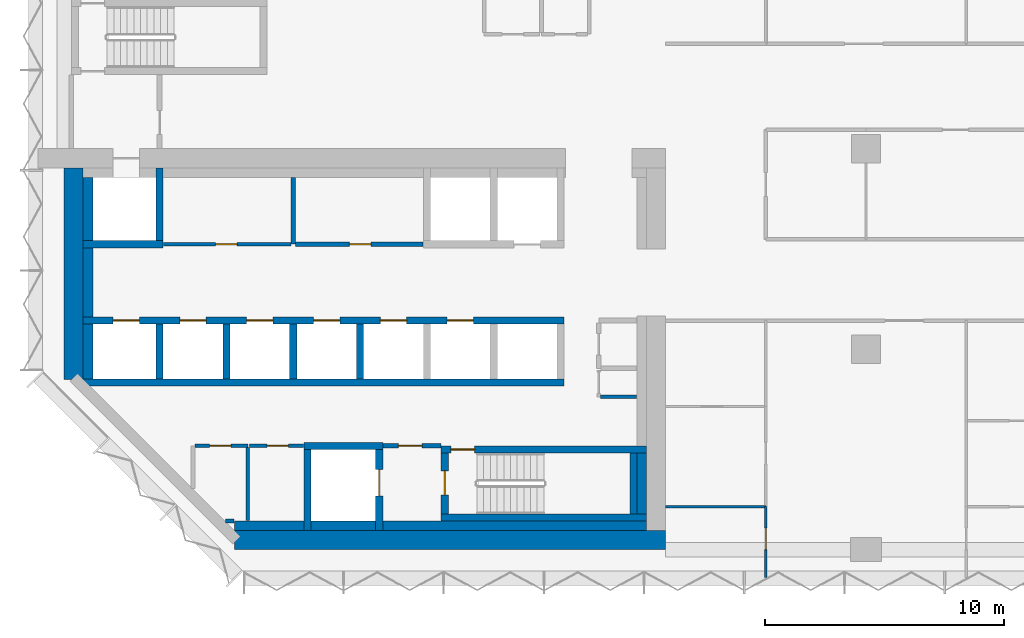
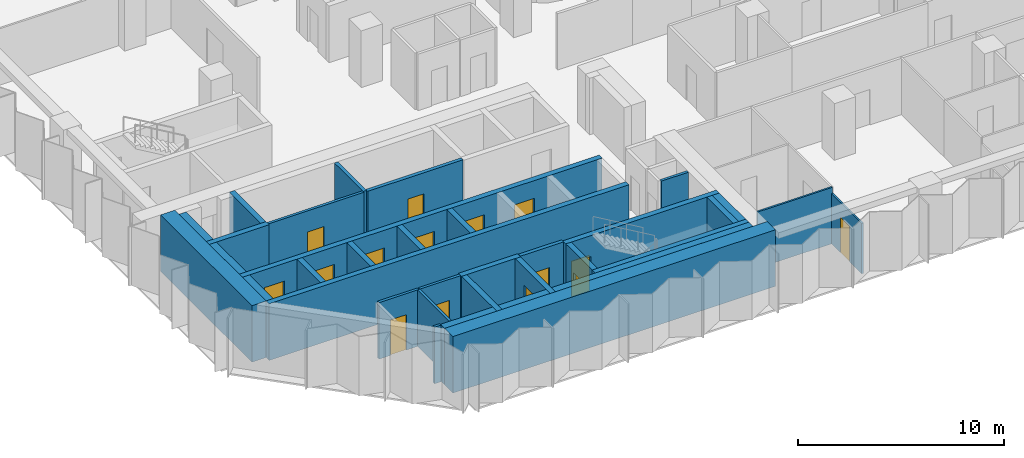
# One storey, part 7 of 13: 35 walls, 15 doors, 15 openings.
"""IFC4 building model written with IfcOpenShell, lengths in metres."""

from ifc_helpers import new_model, si_unit, direction, frame, frame_2d, origin, place, context, subcontext, project, spatial, rectangle, extrude, material, layer, layer_set, type_object, element, fill, save


model = new_model("IFC4")

# Units and contexts
model_context = context("Model", 3, precision=1e-05, world=origin(), true_north=direction((0.0, 1.0)))
body_context = subcontext(model_context, "Body", "Model", "MODEL_VIEW")
ifc_project = project(units=[si_unit("LENGTHUNIT", "METRE"), si_unit("AREAUNIT", "SQUARE_METRE"), si_unit("VOLUMEUNIT", "CUBIC_METRE"), si_unit("PLANEANGLEUNIT", "RADIAN"), si_unit("MASSUNIT", "GRAM", prefix="KILO")], contexts=[model_context])

# Site, building, storey
site_placement = place(None, origin())
site = spatial("IfcSite", under=ifc_project, at=site_placement, CompositionType="ELEMENT")
building_placement = place(site_placement, origin())
building = spatial("IfcBuilding", under=site, at=building_placement, Name="Brevane Broadcast Tower", CompositionType="ELEMENT")
storey_placement = place(building_placement, frame((0.0, 0.0, 106.10009765625)))
storey = spatial("IfcBuildingStorey", under=building, at=storey_placement, Name="L25", CompositionType="ELEMENT", Elevation=106.10009765625)

# Walls
ifc_material_1 = material(Name="Concrete C32/40", Category="concrete")
ifc_layer_1 = layer(ifc_material_1, 0.39990234375)
ifc_layer_set_1 = layer_set([ifc_layer_1], Name="Core chase wall 400 mm")
wall_type_1 = type_object("IfcWallType", Name="Core chase wall 400 mm", PredefinedType="PARTITIONING", material=ifc_layer_set_1)
wall_1_placement = place(storey_placement, frame((1.0, 7.14990234375, 0.0), z_axis=(0.0, 0.0, 1.0), x_axis=(0.0, 1.0, 0.0)))
element("IfcWall", 1, at=wall_1_placement, inside=storey, type_object=wall_type_1, Name="L25 chase wall LW-2-1", PredefinedType="PARTITIONING", context=body_context, shape_type="SweptSolid", body=[
    extrude(rectangle(XDim=2.300048828125, YDim=0.39990234375, at=frame_2d((1.14990234375, 0.0))), origin(), (0.0, 0.0, 1.0), 3.349853515625),
])
wall_2_placement = place(storey_placement, frame((1.0, 9.75, 0.0), z_axis=(0.0, 0.0, 1.0), x_axis=(0.0, 1.0, 0.0)))
element("IfcWall", 2, at=wall_2_placement, inside=storey, type_object=wall_type_1, Name="L25 chase wall LW-2-2-1", PredefinedType="PARTITIONING", context=body_context, shape_type="SweptSolid", body=[
    extrude(rectangle(XDim=2.89990234375, YDim=0.39990234375, at=frame_2d((1.449951171875, 0.0))), origin(), (0.0, 0.0, 1.0), 3.349853515625),
])
wall_3_placement = place(storey_placement, frame((1.0, 12.949951171875, 0.0), z_axis=(0.0, 0.0, 1.0), x_axis=(0.0, 1.0, 0.0)))
element("IfcWall", 3, at=wall_3_placement, inside=storey, type_object=wall_type_1, Name="L25 chase wall LW-2-2-2", PredefinedType="PARTITIONING", context=body_context, shape_type="SweptSolid", body=[
    extrude(rectangle(XDim=2.650146484375, YDim=0.39990234375, at=frame_2d((1.3251953125, 0.0))), origin(), (0.0, 0.0, 1.0), 3.349853515625),
])
wall_4_placement = place(storey_placement, frame((7.136474609375, 1.0, 0.0), z_axis=(0.0, 0.0, 1.0), x_axis=(1.0, 0.0, 0.0)))
element("IfcWall", 4, at=wall_4_placement, inside=storey, type_object=wall_type_1, Name="L25 chase wall LS-1", PredefinedType="PARTITIONING", context=body_context, shape_type="SweptSolid", body=[
    extrude(rectangle(XDim=2.91357421875, YDim=0.39990234375, at=frame_2d((1.456787109375, 0.0))), origin(), (0.0, 0.0, 1.0), 3.349853515625),
])
wall_5_placement = place(storey_placement, frame((10.35009765625, 1.0, 0.0), z_axis=(0.0, 0.0, 1.0), x_axis=(1.0, 0.0, 0.0)))
element("IfcWall", 5, at=wall_5_placement, inside=storey, type_object=wall_type_1, Name="L25 chase wall LS-2-1", PredefinedType="PARTITIONING", context=body_context, shape_type="SweptSolid", body=[
    extrude(rectangle(XDim=2.699951171875, YDim=0.39990234375, at=frame_2d((1.35009765625, 0.0))), origin(), (0.0, 0.0, 1.0), 3.349853515625),
])
wall_6_placement = place(storey_placement, frame((13.35009765625, 1.0, 0.0), z_axis=(0.0, 0.0, 1.0), x_axis=(1.0, 0.0, 0.0)))
element("IfcWall", 6, at=wall_6_placement, inside=storey, type_object=wall_type_1, Name="L25 chase wall LS-2-2", PredefinedType="PARTITIONING", context=body_context, shape_type="SweptSolid", body=[
    extrude(rectangle(XDim=11.0498046875, YDim=0.39990234375, at=frame_2d((5.52490234375, 0.0))), origin(), (0.0, 0.0, 1.0), 3.349853515625),
])
wall_7_placement = place(storey_placement, frame((24.199951171875, 1.5, 0.0), z_axis=(0.0, 0.0, 1.0), x_axis=(0.0, 1.0, 0.0)))
element("IfcWall", 7, at=wall_7_placement, inside=storey, type_object=wall_type_1, Name="L25 chase wall LE1-2-1", PredefinedType="PARTITIONING", context=body_context, shape_type="SweptSolid", body=[
    extrude(rectangle(XDim=2.550048828125, YDim=0.39990234375, at=frame_2d((1.27490234375, 0.0))), origin(), (0.0, 0.0, 1.0), 3.349853515625),
])

# Wall, opening, door
ifc_material_2 = material(Name="Gypsum board on steel studs", Category="steel")
ifc_layer_2 = layer(ifc_material_2, 0.14990234375)
ifc_layer_set_2 = layer_set([ifc_layer_2], Name="Core fire partition 150 mm")
wall_type_2 = type_object("IfcWallType", Name="Core fire partition 150 mm", PredefinedType="PARTITIONING", material=ifc_layer_set_2)
wall_8_placement = place(storey_placement, frame((4.162109375, 12.800048828125, 0.0), z_axis=(0.0, 0.0, 1.0), x_axis=(1.0, 0.0, 0.0)))
wall_8 = element("IfcWall", 8, at=wall_8_placement, inside=storey, type_object=wall_type_2, Name="L25 partition wall P09", PredefinedType="PARTITIONING", context=body_context, shape_type="SweptSolid", body=[
    extrude(rectangle(XDim=5.337890625, YDim=0.14990234375, at=frame_2d((2.6689453125, 0.0))), origin(), (0.0, 0.0, 1.0), 3.349853515625),
])
opening_1_placement = place(wall_8_placement, frame((2.18798828125, 0.0, 0.0)))
opening_1 = element("IfcOpeningElement", 9, at=opening_1_placement, cuts=wall_8, Name="Opening L25-K21", PredefinedType="OPENING", context=body_context, shape_type="SweptSolid", body=[
    extrude(rectangle(XDim=0.89990234375, YDim=2.10009765625, at=frame_2d((0.449951171875, 1.050048828125))), frame((0.0, 0.0849609375, 0.0), z_axis=(0.0, -1.0, 0.0), x_axis=(1.0, 0.0, 0.0)), (0.0, 0.0, 1.0), 0.169921875),
])
ifc_material_3 = material(Name="Steel", Category="steel")
door_type_1 = type_object("IfcDoorType", Name="Service room door 900 x 2100", OperationType="SINGLE_SWING_LEFT", PredefinedType="DOOR", material=ifc_material_3)
door_1_placement = place(opening_1_placement, origin())
door_1 = element("IfcDoor", 10, at=door_1_placement, inside=storey, type_object=door_type_1, Name="Door L25-K21", OperationType="SINGLE_SWING_LEFT", OverallHeight=2.10009765625, OverallWidth=0.89990234375, PredefinedType="DOOR", context=body_context, shape_type="SweptSolid", body=[
    extrude(rectangle(XDim=0.89990234375, YDim=2.10009765625, at=frame_2d((0.449951171875, 1.050048828125))), frame((0.0, 0.02490234375, 0.0), z_axis=(0.0, -1.0, 0.0), x_axis=(1.0, 0.0, 0.0)), (0.0, 0.0, 1.0), 0.050048828125),
])
fill(opening_1, door_1)

wall_9_placement = place(storey_placement, frame((5.47509765625, 4.35009765625, 0.0), z_axis=(0.0, 0.0, 1.0), x_axis=(1.0, 0.0, 0.0)))
wall_9 = element("IfcWall", 11, at=wall_9_placement, inside=storey, type_object=wall_type_2, Name="L25 partition wall P11", PredefinedType="PARTITIONING", context=body_context, shape_type="SweptSolid", body=[
    extrude(rectangle(XDim=2.224853515625, YDim=0.14990234375, at=frame_2d((1.1123046875, 0.0))), origin(), (0.0, 0.0, 1.0), 3.349853515625),
])
opening_2_placement = place(wall_9_placement, frame((0.625, 0.0, 0.0)))
opening_2 = element("IfcOpeningElement", 12, at=opening_2_placement, cuts=wall_9, Name="Opening L25-K16", PredefinedType="OPENING", context=body_context, shape_type="SweptSolid", body=[
    extrude(rectangle(XDim=0.89990234375, YDim=2.10009765625, at=frame_2d((0.449951171875, 1.050048828125))), frame((0.0, 0.0849609375, 0.0), z_axis=(0.0, -1.0, 0.0), x_axis=(1.0, 0.0, 0.0)), (0.0, 0.0, 1.0), 0.169921875),
])
ifc_material_4 = material(Name="Timber", Category="wood")
door_type_2 = type_object("IfcDoorType", Name="Toilet door 900 x 2100", OperationType="SINGLE_SWING_LEFT", PredefinedType="DOOR", material=ifc_material_4)
door_2_placement = place(opening_2_placement, origin())
door_2 = element("IfcDoor", 13, at=door_2_placement, inside=storey, type_object=door_type_2, Name="Door L25-K16", OperationType="SINGLE_SWING_RIGHT", OverallHeight=2.10009765625, OverallWidth=0.89990234375, PredefinedType="DOOR", context=body_context, shape_type="SweptSolid", body=[
    extrude(rectangle(XDim=0.89990234375, YDim=2.10009765625, at=frame_2d((0.449951171875, 1.050048828125))), frame((0.0, 0.02490234375, 0.0), z_axis=(0.0, -1.0, 0.0), x_axis=(1.0, 0.0, 0.0)), (0.0, 0.0, 1.0), 0.050048828125),
])
fill(opening_2, door_2)

# Walls
wall_10_placement = place(storey_placement, frame((7.699951171875, 4.27490234375, 0.0), z_axis=(0.0, 0.0, 1.0), x_axis=(0.0, -1.0, 0.0)))
element("IfcWall", 14, at=wall_10_placement, inside=storey, type_object=wall_type_2, Name="L25 partition wall P12", PredefinedType="PARTITIONING", context=body_context, shape_type="SweptSolid", body=[
    extrude(rectangle(XDim=3.06298828125, YDim=0.14990234375, at=frame_2d((1.531494140625, 0.0))), origin(), (0.0, 0.0, 1.0), 3.349853515625),
])
wall_11_placement = place(storey_placement, frame((7.12451171875, 1.199951171875, 0.0), z_axis=(0.0, 0.0, 1.0), x_axis=(-1.0, 0.0, 0.0)))
element("IfcWall", 15, at=wall_11_placement, inside=storey, type_object=wall_type_2, Name="L25 partition wall P13", PredefinedType="PARTITIONING", context=body_context, shape_type="SweptSolid", body=[
    extrude(rectangle(XDim=0.37109375, YDim=0.14990234375, at=frame_2d((0.185546875, 0.0))), origin(), (0.0, 0.0, 1.0), 3.349853515625),
])

# Wall, opening, door
wall_12_placement = place(storey_placement, frame((10.0380859375, 4.35009765625, 0.0), z_axis=(0.0, 0.0, 1.0), x_axis=(-1.0, 0.0, 0.0)))
wall_12 = element("IfcWall", 16, at=wall_12_placement, inside=storey, type_object=wall_type_2, Name="L25 partition wall P14", PredefinedType="PARTITIONING", context=body_context, shape_type="SweptSolid", body=[
    extrude(rectangle(XDim=2.26318359375, YDim=0.14990234375, at=frame_2d((1.131591796875, 0.0))), origin(), (0.0, 0.0, 1.0), 3.349853515625),
])
opening_3_placement = place(wall_12_placement, frame((0.637939453125, 0.0, 0.0)))
opening_3 = element("IfcOpeningElement", 17, at=opening_3_placement, cuts=wall_12, Name="Opening L25-K17", PredefinedType="OPENING", context=body_context, shape_type="SweptSolid", body=[
    extrude(rectangle(XDim=0.89990234375, YDim=2.10009765625, at=frame_2d((0.449951171875, 1.050048828125))), frame((0.0, 0.0849609375, 0.0), z_axis=(0.0, -1.0, 0.0), x_axis=(1.0, 0.0, 0.0)), (0.0, 0.0, 1.0), 0.169921875),
])
door_3_placement = place(opening_3_placement, origin())
door_3 = element("IfcDoor", 18, at=door_3_placement, inside=storey, type_object=door_type_2, Name="Door L25-K17", OperationType="SINGLE_SWING_LEFT", OverallHeight=2.10009765625, OverallWidth=0.89990234375, PredefinedType="DOOR", context=body_context, shape_type="SweptSolid", body=[
    extrude(rectangle(XDim=0.89990234375, YDim=2.10009765625, at=frame_2d((0.449951171875, 1.050048828125))), frame((0.0, 0.02490234375, 0.0), z_axis=(0.0, -1.0, 0.0), x_axis=(1.0, 0.0, 0.0)), (0.0, 0.0, 1.0), 0.050048828125),
])
fill(opening_3, door_3)

# Wall
wall_13_placement = place(storey_placement, frame((22.47509765625, 6.39990234375, 0.0), z_axis=(0.0, 0.0, 1.0), x_axis=(1.0, 0.0, 0.0)))
element("IfcWall", 19, at=wall_13_placement, inside=storey, type_object=wall_type_2, Name="L25 partition wall P23", PredefinedType="PARTITIONING", context=body_context, shape_type="SweptSolid", body=[
    extrude(rectangle(XDim=1.512939453125, YDim=0.14990234375, at=frame_2d((0.75634765625, 0.0))), origin(), (0.0, 0.0, 1.0), 3.349853515625),
])

# Wall, opening, door
ifc_layer_3 = layer(ifc_material_2, 0.199951171875)
ifc_layer_set_3 = layer_set([ifc_layer_3], Name="Core fire partition 200 mm")
wall_type_3 = type_object("IfcWallType", Name="Core fire partition 200 mm", PredefinedType="PARTITIONING", material=ifc_layer_set_3)
wall_14_placement = place(storey_placement, frame((13.362060546875, 4.35009765625, 0.0), z_axis=(0.0, 0.0, 1.0), x_axis=(1.0, 0.0, 0.0)))
wall_14 = element("IfcWall", 20, at=wall_14_placement, inside=storey, type_object=wall_type_3, Name="L25 partition wall P03", PredefinedType="PARTITIONING", context=body_context, shape_type="SweptSolid", body=[
    extrude(rectangle(XDim=2.426025390625, YDim=0.199951171875, at=frame_2d((1.212890625, 0.0))), origin(), (0.0, 0.0, 1.0), 3.349853515625),
])
opening_4_placement = place(wall_14_placement, frame((0.637939453125, 0.0, 0.0)))
opening_4 = element("IfcOpeningElement", 21, at=opening_4_placement, cuts=wall_14, Name="Opening L25-K18", PredefinedType="OPENING", context=body_context, shape_type="SweptSolid", body=[
    extrude(rectangle(XDim=1.0, YDim=2.10009765625, at=frame_2d((0.5, 1.050048828125))), frame((0.0, 0.10986328125, 0.0), z_axis=(0.0, -1.0, 0.0), x_axis=(1.0, 0.0, 0.0)), (0.0, 0.0, 1.0), 0.219970703125),
])
door_type_3 = type_object("IfcDoorType", Name="Stair door 1000 x 2100", OperationType="SINGLE_SWING_LEFT", PredefinedType="DOOR", material=ifc_material_3)
door_4_placement = place(opening_4_placement, origin())
door_4 = element("IfcDoor", 22, at=door_4_placement, inside=storey, type_object=door_type_3, Name="Door L25-K18", OperationType="SINGLE_SWING_RIGHT", OverallHeight=2.10009765625, OverallWidth=1.0, PredefinedType="DOOR", context=body_context, shape_type="SweptSolid", body=[
    extrude(rectangle(XDim=1.0, YDim=2.10009765625, at=frame_2d((0.5, 1.050048828125))), frame((0.0, 0.02490234375, 0.0), z_axis=(0.0, -1.0, 0.0), x_axis=(1.0, 0.0, 0.0)), (0.0, 0.0, 1.0), 0.050048828125),
])
fill(opening_4, door_4)

# Wall
wall_15_placement = place(storey_placement, frame((9.60009765625, 15.587890625, 0.0), z_axis=(0.0, 0.0, 1.0), x_axis=(0.0, -1.0, 0.0)))
element("IfcWall", 23, at=wall_15_placement, inside=storey, type_object=wall_type_3, Name="L25 partition wall P04", PredefinedType="PARTITIONING", context=body_context, shape_type="SweptSolid", body=[
    extrude(rectangle(XDim=2.787841796875, YDim=0.199951171875, at=frame_2d((1.39404296875, 0.0))), origin(), (0.0, 0.0, 1.0), 3.349853515625),
])

# Wall, opening, door
wall_16_placement = place(storey_placement, frame((9.699951171875, 12.800048828125, 0.0), z_axis=(0.0, 0.0, 1.0), x_axis=(1.0, 0.0, 0.0)))
wall_16 = element("IfcWall", 24, at=wall_16_placement, inside=storey, type_object=wall_type_3, Name="L25 partition wall P05", PredefinedType="PARTITIONING", context=body_context, shape_type="SweptSolid", body=[
    extrude(rectangle(XDim=5.338134765625, YDim=0.199951171875, at=frame_2d((2.6689453125, 0.0))), origin(), (0.0, 0.0, 1.0), 3.349853515625),
])
opening_5_placement = place(wall_16_placement, frame((2.25, 0.0, 0.0)))
opening_5 = element("IfcOpeningElement", 25, at=opening_5_placement, cuts=wall_16, Name="Opening L25-K22", PredefinedType="OPENING", context=body_context, shape_type="SweptSolid", body=[
    extrude(rectangle(XDim=0.89990234375, YDim=2.10009765625, at=frame_2d((0.449951171875, 1.050048828125))), frame((0.0, 0.10986328125, 0.0), z_axis=(0.0, -1.0, 0.0), x_axis=(1.0, 0.0, 0.0)), (0.0, 0.0, 1.0), 0.219970703125),
])
door_5_placement = place(opening_5_placement, origin())
door_5 = element("IfcDoor", 26, at=door_5_placement, inside=storey, type_object=door_type_1, Name="Door L25-K22", OperationType="SINGLE_SWING_RIGHT", OverallHeight=2.10009765625, OverallWidth=0.89990234375, PredefinedType="DOOR", context=body_context, shape_type="SweptSolid", body=[
    extrude(rectangle(XDim=0.89990234375, YDim=2.10009765625, at=frame_2d((0.449951171875, 1.050048828125))), frame((0.0, 0.02490234375, 0.0), z_axis=(0.0, -1.0, 0.0), x_axis=(1.0, 0.0, 0.0)), (0.0, 0.0, 1.0), 0.050048828125),
])
fill(opening_5, door_5)

# Wall
ifc_material_5 = material(Name="Concrete C60/75", Category="concrete")
ifc_layer_4 = layer(ifc_material_5, 0.300048828125)
ifc_layer_set_4 = layer_set([ifc_layer_4], Name="Core wall 300 mm C60/75")
wall_type_4 = type_object("IfcWallType", Name="Core wall 300 mm C60/75", PredefinedType="SHEAR", material=ifc_layer_set_4)
wall_17_placement = place(storey_placement, frame((0.800048828125, 7.0, 0.0), z_axis=(0.0, 0.0, 1.0), x_axis=(1.0, 0.0, 0.0)))
element("IfcWall", 27, at=wall_17_placement, inside=storey, type_object=wall_type_4, Name="L25 shaft wall SH-S012-back", PredefinedType="SHEAR", context=body_context, shape_type="SweptSolid", body=[
    extrude(rectangle(XDim=20.14990234375, YDim=0.300048828125, at=frame_2d((10.074951171875, 0.0))), origin(), (0.0, 0.0, 1.0), 3.349853515625),
])

# Wall, openings, doors
wall_18_placement = place(storey_placement, frame((0.800048828125, 9.60009765625, 0.0), z_axis=(0.0, 0.0, 1.0), x_axis=(1.0, 0.0, 0.0)))
wall_18 = element("IfcWall", 28, at=wall_18_placement, inside=storey, type_object=wall_type_4, Name="L25 shaft wall SH-S012-front", PredefinedType="SHEAR", context=body_context, shape_type="SweptSolid", body=[
    extrude(rectangle(XDim=20.14990234375, YDim=0.300048828125, at=frame_2d((10.074951171875, 0.0))), origin(), (0.0, 0.0, 1.0), 3.349853515625),
])
opening_6_placement = place(wall_18_placement, frame((1.25, 0.0, 0.0)))
opening_6 = element("IfcOpeningElement", 29, at=opening_6_placement, cuts=wall_18, Name="Opening LD", PredefinedType="OPENING", context=body_context, shape_type="SweptSolid", body=[
    extrude(rectangle(XDim=1.10009765625, YDim=2.300048828125, at=frame_2d((0.550048828125, 1.14990234375))), frame((0.0, 0.159912109375, 0.0), z_axis=(0.0, -1.0, 0.0), x_axis=(1.0, 0.0, 0.0)), (0.0, 0.0, 1.0), 0.320068359375),
])
opening_7_placement = place(wall_18_placement, frame((4.050048828125, 0.0, 0.0)))
opening_7 = element("IfcOpeningElement", 30, at=opening_7_placement, cuts=wall_18, Name="Opening LD", PredefinedType="OPENING", context=body_context, shape_type="SweptSolid", body=[
    extrude(rectangle(XDim=1.10009765625, YDim=2.300048828125, at=frame_2d((0.550048828125, 1.14990234375))), frame((0.0, 0.159912109375, 0.0), z_axis=(0.0, -1.0, 0.0), x_axis=(1.0, 0.0, 0.0)), (0.0, 0.0, 1.0), 0.320068359375),
])
opening_8_placement = place(wall_18_placement, frame((6.85009765625, 0.0, 0.0)))
opening_8 = element("IfcOpeningElement", 31, at=opening_8_placement, cuts=wall_18, Name="Opening LD", PredefinedType="OPENING", context=body_context, shape_type="SweptSolid", body=[
    extrude(rectangle(XDim=1.10009765625, YDim=2.300048828125, at=frame_2d((0.550048828125, 1.14990234375))), frame((0.0, 0.159912109375, 0.0), z_axis=(0.0, -1.0, 0.0), x_axis=(1.0, 0.0, 0.0)), (0.0, 0.0, 1.0), 0.320068359375),
])
opening_9_placement = place(wall_18_placement, frame((9.64990234375, 0.0, 0.0)))
opening_9 = element("IfcOpeningElement", 32, at=opening_9_placement, cuts=wall_18, Name="Opening LD", PredefinedType="OPENING", context=body_context, shape_type="SweptSolid", body=[
    extrude(rectangle(XDim=1.10009765625, YDim=2.300048828125, at=frame_2d((0.550048828125, 1.14990234375))), frame((0.0, 0.159912109375, 0.0), z_axis=(0.0, -1.0, 0.0), x_axis=(1.0, 0.0, 0.0)), (0.0, 0.0, 1.0), 0.320068359375),
])
opening_10_placement = place(wall_18_placement, frame((12.449951171875, 0.0, 0.0)))
opening_10 = element("IfcOpeningElement", 33, at=opening_10_placement, cuts=wall_18, Name="Opening LD", PredefinedType="OPENING", context=body_context, shape_type="SweptSolid", body=[
    extrude(rectangle(XDim=1.10009765625, YDim=2.300048828125, at=frame_2d((0.550048828125, 1.14990234375))), frame((0.0, 0.159912109375, 0.0), z_axis=(0.0, -1.0, 0.0), x_axis=(1.0, 0.0, 0.0)), (0.0, 0.0, 1.0), 0.320068359375),
])
opening_11_placement = place(wall_18_placement, frame((15.25, 0.0, 0.0)))
opening_11 = element("IfcOpeningElement", 34, at=opening_11_placement, cuts=wall_18, Name="Opening LD", PredefinedType="OPENING", context=body_context, shape_type="SweptSolid", body=[
    extrude(rectangle(XDim=1.10009765625, YDim=2.300048828125, at=frame_2d((0.550048828125, 1.14990234375))), frame((0.0, 0.159912109375, 0.0), z_axis=(0.0, -1.0, 0.0), x_axis=(1.0, 0.0, 0.0)), (0.0, 0.0, 1.0), 0.320068359375),
])
ifc_material_6 = material(Name="Stainless steel", Category="steel")
door_type_4 = type_object("IfcDoorType", Name="Lift landing door", OperationType="SLIDING_TO_LEFT", PredefinedType="DOOR", material=ifc_material_6)
door_6_placement = place(opening_6_placement, origin())
door_6 = element("IfcDoor", 35, at=door_6_placement, inside=storey, type_object=door_type_4, Name="Landing door LR1 L25", OperationType="SLIDING_TO_LEFT", OverallHeight=2.300048828125, OverallWidth=1.10009765625, PredefinedType="DOOR", context=body_context, shape_type="SweptSolid", body=[
    extrude(rectangle(XDim=1.10009765625, YDim=2.300048828125, at=frame_2d((0.550048828125, 1.14990234375))), frame((0.0, 0.02490234375, 0.0), z_axis=(0.0, -1.0, 0.0), x_axis=(1.0, 0.0, 0.0)), (0.0, 0.0, 1.0), 0.050048828125),
])
fill(opening_6, door_6)
door_7_placement = place(opening_7_placement, origin())
door_7 = element("IfcDoor", 36, at=door_7_placement, inside=storey, type_object=door_type_4, Name="Landing door LR2 L25", OperationType="SLIDING_TO_LEFT", OverallHeight=2.300048828125, OverallWidth=1.10009765625, PredefinedType="DOOR", context=body_context, shape_type="SweptSolid", body=[
    extrude(rectangle(XDim=1.10009765625, YDim=2.300048828125, at=frame_2d((0.550048828125, 1.14990234375))), frame((0.0, 0.02490234375, 0.0), z_axis=(0.0, -1.0, 0.0), x_axis=(1.0, 0.0, 0.0)), (0.0, 0.0, 1.0), 0.050048828125),
])
fill(opening_7, door_7)
door_8_placement = place(opening_8_placement, origin())
door_8 = element("IfcDoor", 37, at=door_8_placement, inside=storey, type_object=door_type_4, Name="Landing door LR3 L25", OperationType="SLIDING_TO_LEFT", OverallHeight=2.300048828125, OverallWidth=1.10009765625, PredefinedType="DOOR", context=body_context, shape_type="SweptSolid", body=[
    extrude(rectangle(XDim=1.10009765625, YDim=2.300048828125, at=frame_2d((0.550048828125, 1.14990234375))), frame((0.0, 0.02490234375, 0.0), z_axis=(0.0, -1.0, 0.0), x_axis=(1.0, 0.0, 0.0)), (0.0, 0.0, 1.0), 0.050048828125),
])
fill(opening_8, door_8)
door_9_placement = place(opening_9_placement, origin())
door_9 = element("IfcDoor", 38, at=door_9_placement, inside=storey, type_object=door_type_4, Name="Landing door LR4 L25", OperationType="SLIDING_TO_LEFT", OverallHeight=2.300048828125, OverallWidth=1.10009765625, PredefinedType="DOOR", context=body_context, shape_type="SweptSolid", body=[
    extrude(rectangle(XDim=1.10009765625, YDim=2.300048828125, at=frame_2d((0.550048828125, 1.14990234375))), frame((0.0, 0.02490234375, 0.0), z_axis=(0.0, -1.0, 0.0), x_axis=(1.0, 0.0, 0.0)), (0.0, 0.0, 1.0), 0.050048828125),
])
fill(opening_9, door_9)
door_10_placement = place(opening_10_placement, origin())
door_10 = element("IfcDoor", 39, at=door_10_placement, inside=storey, type_object=door_type_4, Name="Landing door LR5 L25", OperationType="SLIDING_TO_LEFT", OverallHeight=2.300048828125, OverallWidth=1.10009765625, PredefinedType="DOOR", context=body_context, shape_type="SweptSolid", body=[
    extrude(rectangle(XDim=1.10009765625, YDim=2.300048828125, at=frame_2d((0.550048828125, 1.14990234375))), frame((0.0, 0.02490234375, 0.0), z_axis=(0.0, -1.0, 0.0), x_axis=(1.0, 0.0, 0.0)), (0.0, 0.0, 1.0), 0.050048828125),
])
fill(opening_10, door_10)
door_11_placement = place(opening_11_placement, origin())
door_11 = element("IfcDoor", 40, at=door_11_placement, inside=storey, type_object=door_type_4, Name="Landing door LR6 L25", OperationType="SLIDING_TO_LEFT", OverallHeight=2.300048828125, OverallWidth=1.10009765625, PredefinedType="DOOR", context=body_context, shape_type="SweptSolid", body=[
    extrude(rectangle(XDim=1.10009765625, YDim=2.300048828125, at=frame_2d((0.550048828125, 1.14990234375))), frame((0.0, 0.02490234375, 0.0), z_axis=(0.0, -1.0, 0.0), x_axis=(1.0, 0.0, 0.0)), (0.0, 0.0, 1.0), 0.050048828125),
])
fill(opening_11, door_11)

# Walls
for number, where, z_axis, x_axis, name in (
    (41, (4.0, 7.14990234375, 0.0), (0.0, 0.0, 1.0), (0.0, 1.0, 0.0), "L25 shaft wall SH-S-P040"),
    (42, (6.800048828125, 7.14990234375, 0.0), (0.0, 0.0, 1.0), (0.0, 1.0, 0.0), "L25 shaft wall SH-S-P068"),
    (43, (9.60009765625, 7.14990234375, 0.0), (0.0, 0.0, 1.0), (0.0, 1.0, 0.0), "L25 shaft wall SH-S-P096"),
    (44, (12.39990234375, 7.14990234375, 0.0), (0.0, 0.0, 1.0), (0.0, 1.0, 0.0), "L25 shaft wall SH-S-P124"),
):
    element("IfcWall", number, at=place(storey_placement, frame(where, z_axis=z_axis, x_axis=x_axis)), inside=storey, type_object=wall_type_4, Name=name, PredefinedType="SHEAR", context=body_context, shape_type="SweptSolid", body=[
        extrude(rectangle(XDim=2.300048828125, YDim=0.300048828125, at=frame_2d((1.14990234375, 0.0))), origin(), (0.0, 0.0, 1.0), 3.349853515625),
    ])
wall_19_placement = place(storey_placement, frame((0.800048828125, 12.800048828125, 0.0), z_axis=(0.0, 0.0, 1.0), x_axis=(1.0, 0.0, 0.0)))
element("IfcWall", 45, at=wall_19_placement, inside=storey, type_object=wall_type_4, Name="L25 shaft wall SH-N012-front", PredefinedType="SHEAR", context=body_context, shape_type="SweptSolid", body=[
    extrude(rectangle(XDim=3.349853515625, YDim=0.300048828125, at=frame_2d((1.6748046875, 0.0))), origin(), (0.0, 0.0, 1.0), 3.349853515625),
])
wall_20_placement = place(storey_placement, frame((4.0, 12.949951171875, 0.0), z_axis=(0.0, 0.0, 1.0), x_axis=(0.0, 1.0, 0.0)))
element("IfcWall", 46, at=wall_20_placement, inside=storey, type_object=wall_type_4, Name="L25 shaft wall SH-N-P040", PredefinedType="SHEAR", context=body_context, shape_type="SweptSolid", body=[
    extrude(rectangle(XDim=3.050048828125, YDim=0.300048828125, at=frame_2d((1.52490234375, 0.0))), origin(), (0.0, 0.0, 1.0), 3.349853515625),
])
wall_21_placement = place(storey_placement, frame((10.199951171875, 0.800048828125, 0.0), z_axis=(0.0, 0.0, 1.0), x_axis=(0.0, 1.0, 0.0)))
element("IfcWall", 47, at=wall_21_placement, inside=storey, type_object=wall_type_4, Name="L25 shaft wall FF2-W", PredefinedType="SHEAR", context=body_context, shape_type="SweptSolid", body=[
    extrude(rectangle(XDim=3.39990234375, YDim=0.300048828125, at=frame_2d((1.699951171875, 0.0))), origin(), (0.0, 0.0, 1.0), 3.349853515625),
])

# Wall, opening, door
wall_22_placement = place(storey_placement, frame((13.199951171875, 0.800048828125, 0.0), z_axis=(0.0, 0.0, 1.0), x_axis=(0.0, 1.0, 0.0)))
wall_22 = element("IfcWall", 48, at=wall_22_placement, inside=storey, type_object=wall_type_4, Name="L25 shaft wall FF2-E", PredefinedType="SHEAR", context=body_context, shape_type="SweptSolid", body=[
    extrude(rectangle(XDim=3.39990234375, YDim=0.300048828125, at=frame_2d((1.699951171875, 0.0))), origin(), (0.0, 0.0, 1.0), 3.349853515625),
])
opening_12_placement = place(wall_22_placement, frame((1.449951171875, 0.0, 0.0)))
opening_12 = element("IfcOpeningElement", 49, at=opening_12_placement, cuts=wall_22, Name="Opening LD", PredefinedType="OPENING", context=body_context, shape_type="SweptSolid", body=[
    extrude(rectangle(XDim=1.10009765625, YDim=2.300048828125, at=frame_2d((0.550048828125, 1.14990234375))), frame((0.0, 0.159912109375, 0.0), z_axis=(0.0, -1.0, 0.0), x_axis=(1.0, 0.0, 0.0)), (0.0, 0.0, 1.0), 0.320068359375),
])
door_12_placement = place(opening_12_placement, origin())
door_12 = element("IfcDoor", 50, at=door_12_placement, inside=storey, type_object=door_type_4, Name="Landing door FF2 L25", OperationType="SLIDING_TO_LEFT", OverallHeight=2.300048828125, OverallWidth=1.10009765625, PredefinedType="DOOR", context=body_context, shape_type="SweptSolid", body=[
    extrude(rectangle(XDim=1.10009765625, YDim=2.300048828125, at=frame_2d((0.550048828125, 1.14990234375))), frame((0.0, 0.02490234375, 0.0), z_axis=(0.0, -1.0, 0.0), x_axis=(1.0, 0.0, 0.0)), (0.0, 0.0, 1.0), 0.050048828125),
])
fill(opening_12, door_12)

# Walls
wall_23_placement = place(storey_placement, frame((10.050048828125, 4.35009765625, 0.0), z_axis=(0.0, 0.0, 1.0), x_axis=(1.0, 0.0, 0.0)))
element("IfcWall", 51, at=wall_23_placement, inside=storey, type_object=wall_type_4, Name="L25 shaft wall FF2-N", PredefinedType="SHEAR", context=body_context, shape_type="SweptSolid", body=[
    extrude(rectangle(XDim=3.300048828125, YDim=0.300048828125, at=frame_2d((1.64990234375, 0.0))), origin(), (0.0, 0.0, 1.0), 3.349853515625),
])
wall_24_placement = place(storey_placement, frame((15.800048828125, 1.35009765625, 0.0), z_axis=(0.0, 0.0, 1.0), x_axis=(1.0, 0.0, 0.0)))
element("IfcWall", 52, at=wall_24_placement, inside=storey, type_object=wall_type_4, Name="L25 stair wall ST-2-S", PredefinedType="SHEAR", context=body_context, shape_type="SweptSolid", body=[
    extrude(rectangle(XDim=8.599853515625, YDim=0.300048828125, at=frame_2d((4.2998046875, 0.0))), origin(), (0.0, 0.0, 1.0), 3.349853515625),
])

# Wall, opening, door
wall_25_placement = place(storey_placement, frame((15.800048828125, 4.199951171875, 0.0), z_axis=(0.0, 0.0, 1.0), x_axis=(1.0, 0.0, 0.0)))
wall_25 = element("IfcWall", 53, at=wall_25_placement, inside=storey, type_object=wall_type_4, Name="L25 stair wall ST-2-N", PredefinedType="SHEAR", context=body_context, shape_type="SweptSolid", body=[
    extrude(rectangle(XDim=8.599853515625, YDim=0.300048828125, at=frame_2d((4.2998046875, 0.0))), origin(), (0.0, 0.0, 1.0), 3.349853515625),
])
opening_13_placement = place(wall_25_placement, frame((0.39990234375, 0.0, 0.0)))
opening_13 = element("IfcOpeningElement", 54, at=opening_13_placement, cuts=wall_25, Name="Opening L25-K13", PredefinedType="OPENING", context=body_context, shape_type="SweptSolid", body=[
    extrude(rectangle(XDim=1.0, YDim=2.10009765625, at=frame_2d((0.5, 1.050048828125))), frame((0.0, 0.159912109375, 0.0), z_axis=(0.0, -1.0, 0.0), x_axis=(1.0, 0.0, 0.0)), (0.0, 0.0, 1.0), 0.320068359375),
])
door_13_placement = place(opening_13_placement, origin())
door_13 = element("IfcDoor", 55, at=door_13_placement, inside=storey, type_object=door_type_3, Name="Door L25-K13", OperationType="SINGLE_SWING_LEFT", OverallHeight=2.10009765625, OverallWidth=1.0, PredefinedType="DOOR", context=body_context, shape_type="SweptSolid", body=[
    extrude(rectangle(XDim=1.0, YDim=2.10009765625, at=frame_2d((0.5, 1.050048828125))), frame((0.0, 0.02490234375, 0.0), z_axis=(0.0, -1.0, 0.0), x_axis=(1.0, 0.0, 0.0)), (0.0, 0.0, 1.0), 0.050048828125),
])
fill(opening_13, door_13)

wall_26_placement = place(storey_placement, frame((15.949951171875, 1.5, 0.0), z_axis=(0.0, 0.0, 1.0), x_axis=(0.0, 1.0, 0.0)))
wall_26 = element("IfcWall", 56, at=wall_26_placement, inside=storey, type_object=wall_type_4, Name="L25 stair wall ST-2-W", PredefinedType="SHEAR", context=body_context, shape_type="SweptSolid", body=[
    extrude(rectangle(XDim=2.550048828125, YDim=0.300048828125, at=frame_2d((1.27490234375, 0.0))), origin(), (0.0, 0.0, 1.0), 3.349853515625),
])
opening_14_placement = place(wall_26_placement, frame((0.800048828125, 0.0, 0.0)))
opening_14 = element("IfcOpeningElement", 57, at=opening_14_placement, cuts=wall_26, Name="Opening L25-K12", PredefinedType="OPENING", context=body_context, shape_type="SweptSolid", body=[
    extrude(rectangle(XDim=1.0, YDim=2.10009765625, at=frame_2d((0.5, 1.050048828125))), frame((0.0, 0.159912109375, 0.0), z_axis=(0.0, -1.0, 0.0), x_axis=(1.0, 0.0, 0.0)), (0.0, 0.0, 1.0), 0.320068359375),
])
door_14_placement = place(opening_14_placement, origin())
door_14 = element("IfcDoor", 58, at=door_14_placement, inside=storey, type_object=door_type_3, Name="Door L25-K12", OperationType="SINGLE_SWING_RIGHT", OverallHeight=2.10009765625, OverallWidth=1.0, PredefinedType="DOOR", context=body_context, shape_type="SweptSolid", body=[
    extrude(rectangle(XDim=1.0, YDim=2.10009765625, at=frame_2d((0.5, 1.050048828125))), frame((0.0, 0.02490234375, 0.0), z_axis=(0.0, -1.0, 0.0), x_axis=(1.0, 0.0, 0.0)), (0.0, 0.0, 1.0), 0.050048828125),
])
fill(opening_14, door_14)

# Walls
wall_27_placement = place(storey_placement, frame((23.85009765625, 1.5, 0.0), z_axis=(0.0, 0.0, 1.0), x_axis=(0.0, 1.0, 0.0)))
element("IfcWall", 59, at=wall_27_placement, inside=storey, type_object=wall_type_4, Name="L25 stair wall ST-2-E", PredefinedType="SHEAR", context=body_context, shape_type="SweptSolid", body=[
    extrude(rectangle(XDim=2.550048828125, YDim=0.300048828125, at=frame_2d((1.27490234375, 0.0))), origin(), (0.0, 0.0, 1.0), 3.349853515625),
])
ifc_layer_5 = layer(ifc_material_5, 0.800048828125)
ifc_layer_set_5 = layer_set([ifc_layer_5], Name="Core wall 800 mm C60/75")
wall_type_5 = type_object("IfcWallType", Name="Core wall 800 mm C60/75", PredefinedType="SHEAR", material=ifc_layer_set_5)
wall_28_placement = place(storey_placement, frame((7.136474609375, 0.39990234375, 0.0), z_axis=(0.0, 0.0, 1.0), x_axis=(1.0, 0.0, 0.0)))
element("IfcWall", 60, at=wall_28_placement, inside=storey, type_object=wall_type_5, Name="L25 outer wall WS", PredefinedType="SHEAR", context=body_context, shape_type="SweptSolid", body=[
    extrude(rectangle(XDim=18.0634765625, YDim=0.800048828125, at=frame_2d((9.03173828125, 0.0))), origin(), (0.0, 0.0, 1.0), 3.349853515625),
])
wall_29_placement = place(storey_placement, frame((0.39990234375, 7.136474609375, 0.0), z_axis=(0.0, 0.0, 1.0), x_axis=(0.0, 1.0, 0.0)))
element("IfcWall", 61, at=wall_29_placement, inside=storey, type_object=wall_type_5, Name="L25 outer wall WW", PredefinedType="SHEAR", context=body_context, shape_type="SweptSolid", body=[
    extrude(rectangle(XDim=8.863525390625, YDim=0.800048828125, at=frame_2d((4.431640625, 0.0))), origin(), (0.0, 0.0, 1.0), 3.349853515625),
])

# Wall, opening, door
ifc_material_7 = material(Name="Gypsum board partition")
ifc_layer_6 = layer(ifc_material_7, 0.10009765625)
ifc_layer_set_6 = layer_set([ifc_layer_6], Name="PARTITION 100 STUD")
wall_type_6 = type_object("IfcWallType", Name="PARTITION 100 STUD", PredefinedType="PARTITIONING", material=ifc_layer_set_6)
wall_30_placement = place(storey_placement, frame((29.39990234375, -1.174072265625, 0.0), z_axis=(0.0, 0.0, 1.0), x_axis=(0.0, 1.0, 0.0)))
wall_30 = element("IfcWall", 62, at=wall_30_placement, inside=storey, type_object=wall_type_6, Name="Partition G07-031", PredefinedType="PARTITIONING", context=body_context, shape_type="SweptSolid", body=[
    extrude(rectangle(XDim=2.97412109375, YDim=0.10009765625, at=frame_2d((1.487060546875, 0.0))), origin(), (0.0, 0.0, 1.0), 2.97998046875),
])
opening_15_placement = place(wall_30_placement, frame((1.174072265625, 0.0, 0.0)))
opening_15 = element("IfcOpeningElement", 63, at=opening_15_placement, cuts=wall_30, Name="Opening D14-010", PredefinedType="OPENING", context=body_context, shape_type="SweptSolid", body=[
    extrude(rectangle(XDim=0.89990234375, YDim=2.10009765625, at=frame_2d((0.449951171875, 1.050048828125))), frame((0.0, 0.06005859375, 0.0), z_axis=(0.0, -1.0, 0.0), x_axis=(1.0, 0.0, 0.0)), (0.0, 0.0, 1.0), 0.1201171875),
])
ifc_material_8 = material(Name="Timber door leaf", Category="wood")
door_type_5 = type_object("IfcDoorType", Name="DOOR SINGLE 900 INTERNAL", OperationType="SINGLE_SWING_LEFT", PredefinedType="DOOR", material=ifc_material_8)
door_15_placement = place(opening_15_placement, origin())
door_15 = element("IfcDoor", 64, at=door_15_placement, inside=storey, type_object=door_type_5, Name="Door D14-010", OperationType="SINGLE_SWING_LEFT", OverallHeight=2.10009765625, OverallWidth=0.89990234375, PredefinedType="DOOR", context=body_context, shape_type="SweptSolid", body=[
    extrude(rectangle(XDim=0.89990234375, YDim=2.10009765625, at=frame_2d((0.449951171875, 1.050048828125))), frame((0.0, 0.02490234375, 0.0), z_axis=(0.0, -1.0, 0.0), x_axis=(1.0, 0.0, 0.0)), (0.0, 0.0, 1.0), 0.050048828125),
])
fill(opening_15, door_15)

# Wall
wall_31_placement = place(storey_placement, frame((25.199951171875, 1.800048828125, 0.0), z_axis=(0.0, 0.0, 1.0), x_axis=(1.0, 0.0, 0.0)))
element("IfcWall", 65, at=wall_31_placement, inside=storey, type_object=wall_type_6, Name="Partition G07-041", PredefinedType="PARTITIONING", context=body_context, shape_type="SweptSolid", body=[
    extrude(rectangle(XDim=4.199951171875, YDim=0.10009765625, at=frame_2d((2.10009765625, 0.0))), origin(), (0.0, 0.0, 1.0), 3.329833984375),
])

save(model, "model.ifc")
